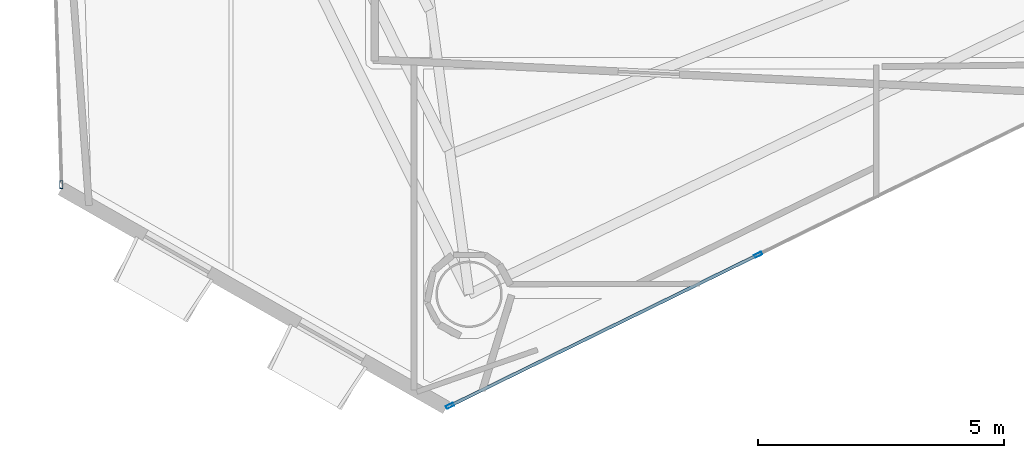
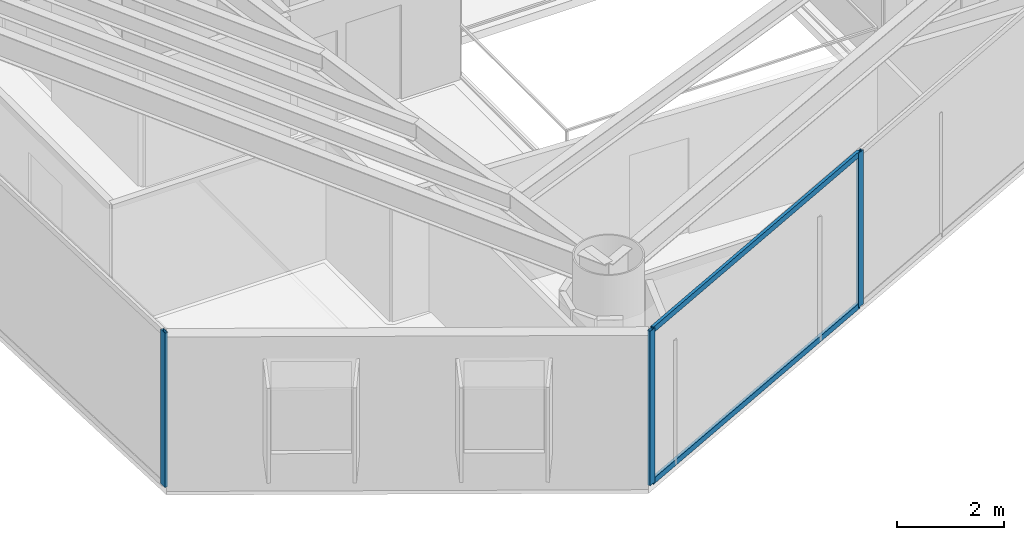
# One storey, part 2 of 22: 5 members, 2 elements without a shape of their own.
"""IFC4 building model written with IfcOpenShell, lengths in metres."""

from ifc_helpers import new_model, si_unit, direction, frame, origin, origin_2d, place, context, subcontext, project, spatial, hollow_rectangle, extrude, material, layer, layer_set, material_profile, profile_set, type_object, element, aggregate, save


model = new_model("IFC4")

# Units and contexts
model_context = context("Model", 3, precision=1e-05, world=origin(), true_north=direction((0.0, 1.0)))
body_context = subcontext(model_context, "Body", "Model", "MODEL_VIEW")
ifc_project = project(units=[si_unit("LENGTHUNIT", "METRE"), si_unit("AREAUNIT", "SQUARE_METRE"), si_unit("VOLUMEUNIT", "CUBIC_METRE"), si_unit("PLANEANGLEUNIT", "RADIAN"), si_unit("MASSUNIT", "GRAM", prefix="KILO")], contexts=[model_context])

# Site, building, storey
site_placement = place(None, origin())
site = spatial("IfcSite", under=ifc_project, at=site_placement, CompositionType="ELEMENT")
building_placement = place(site_placement, origin())
building = spatial("IfcBuilding", under=site, at=building_placement, Name="Qianvela Tower", CompositionType="ELEMENT")
storey_placement = place(building_placement, frame((0.0, 0.0, 158.699951171875)))
storey = spatial("IfcBuildingStorey", under=building, at=storey_placement, Name="L40", CompositionType="ELEMENT", Elevation=158.699951171875)

# Curtain wall, member
ifc_material_1 = material(Name="Anodised Architectural Aluminium and Low-E Glass", Category="aluminium")
ifc_layer = layer(ifc_material_1, 0.169921875)
ifc_layer_set = layer_set([ifc_layer], Name="Anodised Architectural Aluminium and Low-E Glass")
curtain_wall_type = type_object("IfcCurtainWallType", Name="CW-COLIV-Z34", PredefinedType="USERDEFINED", material=ifc_layer_set)
curtain_wall_1_placement = place(storey_placement, origin())
curtain_wall_1 = element("IfcCurtainWall", 1, at=curtain_wall_1_placement, inside=storey, type_object=curtain_wall_type, Name="L40 CW-COLIV-Z34 Curtain Wall 04C", ObjectType="CURTAIN_WALL_SYSTEM", PredefinedType="USERDEFINED")
ifc_material_2 = material(Name="Anodised Architectural Aluminium 6063-T6", Category="aluminium")
ifc_material_profile_1 = material_profile(ifc_material_2, hollow_rectangle(XDim=0.06494140625, YDim=0.159912109375, WallThickness=0.0048828125, at=origin_2d()), Name="ALU-MULL-65x160")
ifc_profile_set_1 = profile_set([ifc_material_profile_1], Name="Anodised Architectural Aluminium 6063-T6")
member_type_1 = type_object("IfcMemberType", Name="CW-COLIV-Z34-MULL", PredefinedType="MULLION", material=ifc_profile_set_1)
member_1_placement = place(storey_placement, frame((22.053955078125, 13.138671875, 0.0), z_axis=(0.0, 0.0, 1.0), x_axis=(0.999528000958, 0.030720926119, 0.0)))
member_1 = element("IfcMember", 2, at=member_1_placement, type_object=member_type_1, Name="CW-4 mullion 2", PredefinedType="MULLION", context=body_context, shape_type="SweptSolid", body=[
    extrude(hollow_rectangle(XDim=0.06494140625, YDim=0.159912109375, WallThickness=0.0048828125, at=origin_2d()), origin(), (0.0, 0.0, 1.0), 3.52001953125),
])
aggregate(curtain_wall_1, [member_1])

# Curtain wall, members
curtain_wall_2_placement = place(storey_placement, origin())
curtain_wall_2 = element("IfcCurtainWall", 3, at=curtain_wall_2_placement, inside=storey, type_object=curtain_wall_type, Name="L40 CW-COLIV-Z34 Curtain Wall 06A", ObjectType="CURTAIN_WALL_SYSTEM", PredefinedType="USERDEFINED")
member_2_placement = place(storey_placement, frame((29.957275390625, 8.641357421875, 0.0), z_axis=(0.0, 0.0, 1.0), x_axis=(-0.440143357268, 0.897927516592, 0.0)))
member_2 = element("IfcMember", 4, at=member_2_placement, type_object=member_type_1, Name="CW-4 mullion 1", PredefinedType="MULLION", context=body_context, shape_type="SweptSolid", body=[
    extrude(hollow_rectangle(XDim=0.06494140625, YDim=0.159912109375, WallThickness=0.0048828125, at=origin_2d()), origin(), (0.0, 0.0, 1.0), 3.52001953125),
])
member_3_placement = place(storey_placement, frame((36.22705078125, 11.714599609375, 0.0), z_axis=(0.0, 0.0, 1.0), x_axis=(-0.440143357268, 0.897927516592, 0.0)))
member_3 = element("IfcMember", 5, at=member_3_placement, type_object=member_type_1, Name="CW-4 mullion 2", PredefinedType="MULLION", context=body_context, shape_type="SweptSolid", body=[
    extrude(hollow_rectangle(XDim=0.06494140625, YDim=0.159912109375, WallThickness=0.0048828125, at=origin_2d()), origin(), (0.0, 0.0, 1.0), 3.52001953125),
])
ifc_material_3 = material(Name="Anodised Architectural Aluminium 6063-T6", Category="aluminium")
ifc_material_profile_2 = material_profile(ifc_material_3, hollow_rectangle(XDim=0.06494140625, YDim=0.1298828125, WallThickness=0.00439453125, at=origin_2d()), Name="ALU-TRAN-65x130")
ifc_profile_set_2 = profile_set([ifc_material_profile_2], Name="Anodised Architectural Aluminium 6063-T6")
member_type_2 = type_object("IfcMemberType", Name="CW-COLIV-Z34-TRAN", PredefinedType="USERDEFINED", material=ifc_profile_set_2)
member_4_placement = place(storey_placement, frame((29.986572265625, 8.65576171875, 0.032470703125), z_axis=(0.897928654244, 0.44014103636, 0.0), x_axis=(-0.44014103636, 0.897928654244, 0.0)))
member_4 = element("IfcMember", 6, at=member_4_placement, type_object=member_type_2, Name="CW-4 transom 1.1", ObjectType="TRANSOM", PredefinedType="USERDEFINED", context=body_context, shape_type="SweptSolid", body=[
    extrude(hollow_rectangle(XDim=0.06494140625, YDim=0.1298828125, WallThickness=0.00439453125, at=origin_2d()), origin(), (0.0, 0.0, 1.0), 6.91748046875),
])
member_5_placement = place(storey_placement, frame((29.986572265625, 8.65576171875, 3.487548828125), z_axis=(0.897928654244, 0.44014103636, 0.0), x_axis=(-0.44014103636, 0.897928654244, 0.0)))
member_5 = element("IfcMember", 7, at=member_5_placement, type_object=member_type_2, Name="CW-4 transom 1.2", ObjectType="TRANSOM", PredefinedType="USERDEFINED", context=body_context, shape_type="SweptSolid", body=[
    extrude(hollow_rectangle(XDim=0.06494140625, YDim=0.1298828125, WallThickness=0.00439453125, at=origin_2d()), origin(), (0.0, 0.0, 1.0), 6.91748046875),
])
aggregate(curtain_wall_2, [member_2, member_3, member_4, member_5])

save(model, "model.ifc")
